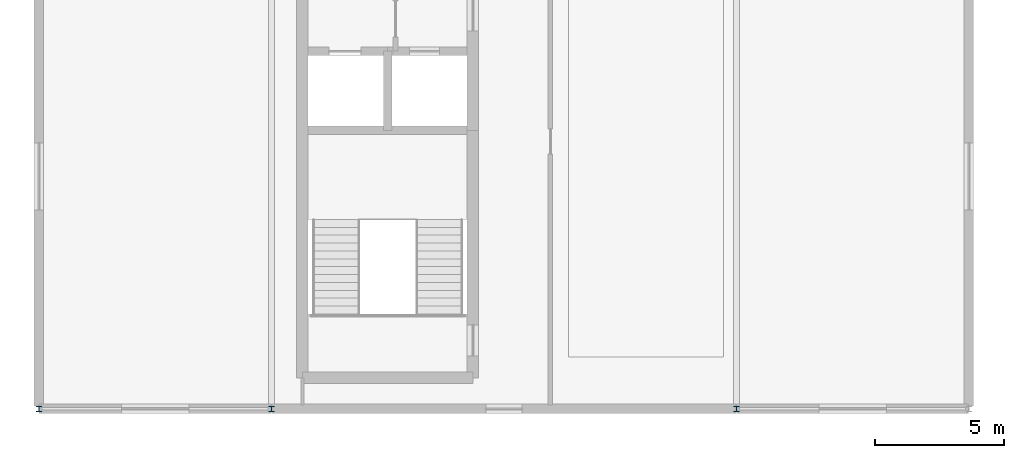
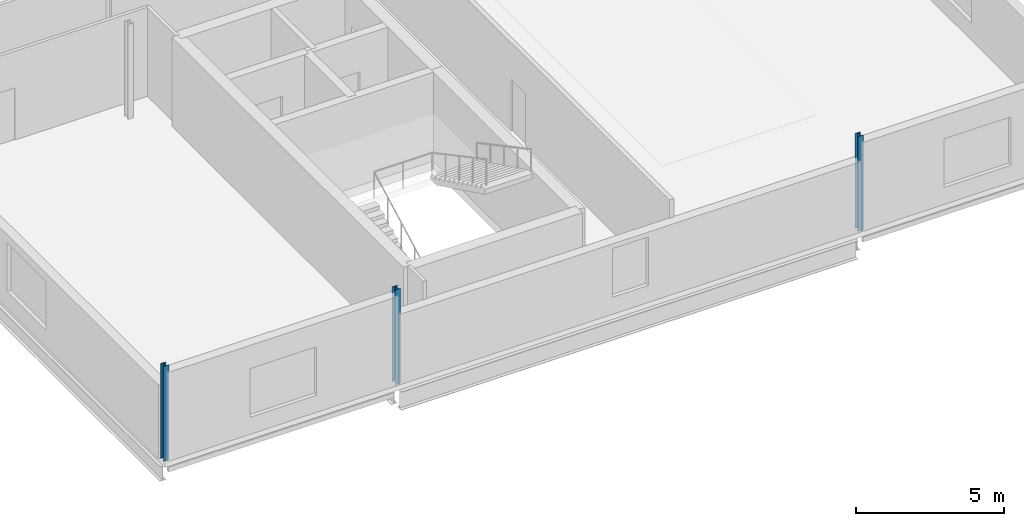
# One storey, part 1 of 35: 3 columns.
"""IFC4 building model written with IfcOpenShell, lengths in metres."""

from ifc_helpers import new_model, si_unit, direction, frame, origin, origin_2d, place, context, subcontext, project, spatial, i_section, extrude, material, material_profile, profile_set, type_object, element, save


model = new_model("IFC4")

# Units and contexts
model_context = context("Model", 3, precision=1e-05, world=origin(), true_north=direction((0.0, 1.0)))
body_context = subcontext(model_context, "Body", "Model", "MODEL_VIEW")
ifc_project = project(units=[si_unit("LENGTHUNIT", "METRE"), si_unit("AREAUNIT", "SQUARE_METRE"), si_unit("VOLUMEUNIT", "CUBIC_METRE"), si_unit("PLANEANGLEUNIT", "RADIAN"), si_unit("MASSUNIT", "GRAM", prefix="KILO")], contexts=[model_context])

# Site, building, storey
site_placement = place(None, origin())
site = spatial("IfcSite", under=ifc_project, at=site_placement, CompositionType="ELEMENT")
building_placement = place(site_placement, origin())
building = spatial("IfcBuilding", under=site, at=building_placement, Name="Kisiwana Market Hall", CompositionType="ELEMENT")
storey_placement = place(building_placement, frame((0.0, 0.0, 57.89990234375)))
storey = spatial("IfcBuildingStorey", under=building, at=storey_placement, Name="L13", CompositionType="ELEMENT", Elevation=57.89990234375)

# Columns
ifc_material_1 = material(Name="Steel S355", Category="steel")
ifc_material_profile_1 = material_profile(ifc_material_1, i_section(OverallWidth=0.205810546875, OverallDepth=0.209716796875, WebThickness=0.009521484375, FlangeThickness=0.01416015625, FilletRadius=0.01025390625, at=origin_2d()), Name="UC 203x203x60")
ifc_profile_set_1 = profile_set([ifc_material_profile_1], Name="Steel S355")
column_type_1 = type_object("IfcColumnType", Name="COL-STL-UC060", PredefinedType="COLUMN", material=ifc_profile_set_1)
column_placement = place(storey_placement, frame((0.0, 18.0, 0.0), z_axis=(0.0, 0.0, 1.0), x_axis=(1.0, 0.0, 0.0)))
element("IfcColumn", 1, at=column_placement, inside=storey, type_object=column_type_1, Name="Column C/1 (L13) C-1402", PredefinedType="COLUMN", context=body_context, shape_type="SweptSolid", body=[
    extrude(i_section(OverallWidth=0.205810546875, OverallDepth=0.209716796875, WebThickness=0.009521484375, FlangeThickness=0.01416015625, FilletRadius=0.01025390625, at=origin_2d()), origin(), (0.0, 0.0, 1.0), 3.900146484375),
])
ifc_material_2 = material(Name="Steel S355", Category="steel")
ifc_material_profile_2 = material_profile(ifc_material_2, i_section(OverallWidth=0.208984375, OverallDepth=0.22216796875, WebThickness=0.0126953125, FlangeThickness=0.0205078125, FilletRadius=0.01025390625, at=origin_2d()), Name="UC 203x203x86")
ifc_profile_set_2 = profile_set([ifc_material_profile_2], Name="Steel S355")
column_type_2 = type_object("IfcColumnType", Name="COL-STL-UC086", PredefinedType="COLUMN", material=ifc_profile_set_2)
for number, where, z_axis, x_axis, name in (
    (2, (9.0, 18.0, 0.0), (0.0, 0.0, 1.0), (1.0, 0.0, 0.0), "Column C/2 (L13) C-1407"),
    (3, (27.0, 18.0, 0.0), (0.0, 0.0, 1.0), (1.0, 0.0, 0.0), "Column C/4 (L13) C-1411"),
):
    element("IfcColumn", number, at=place(storey_placement, frame(where, z_axis=z_axis, x_axis=x_axis)), inside=storey, type_object=column_type_2, Name=name, PredefinedType="COLUMN", context=body_context, shape_type="SweptSolid", body=[
        extrude(i_section(OverallWidth=0.208984375, OverallDepth=0.22216796875, WebThickness=0.0126953125, FlangeThickness=0.0205078125, FilletRadius=0.01025390625, at=origin_2d()), origin(), (0.0, 0.0, 1.0), 3.900146484375),
    ])

save(model, "model.ifc")
